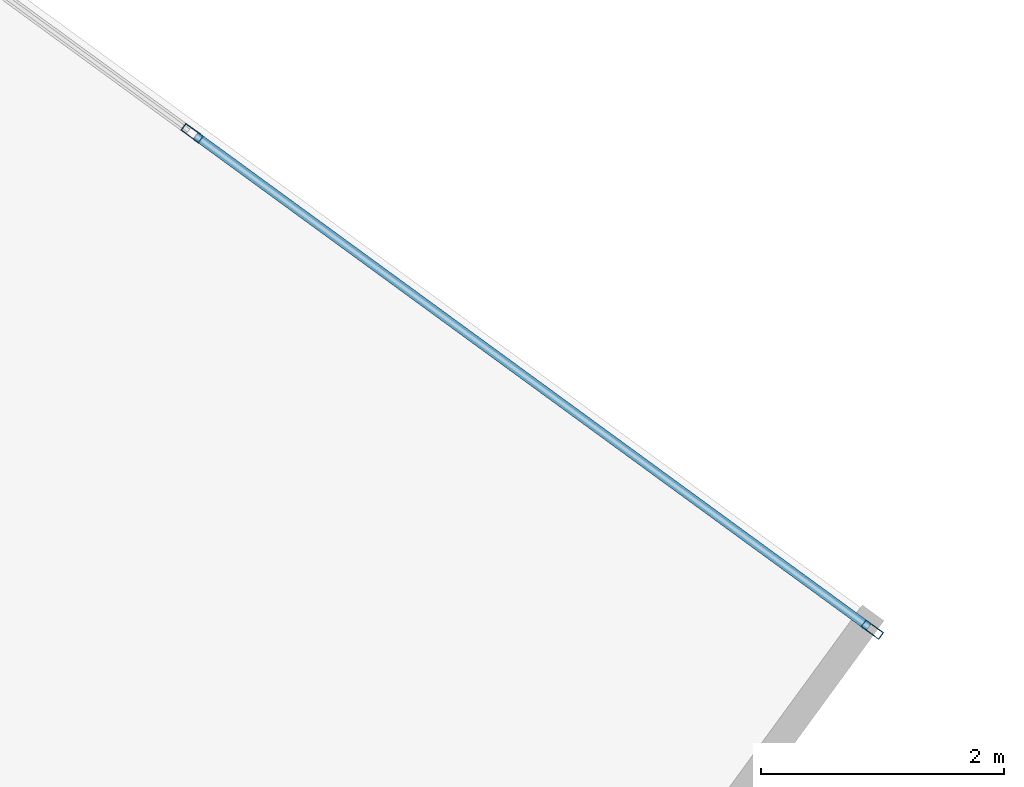
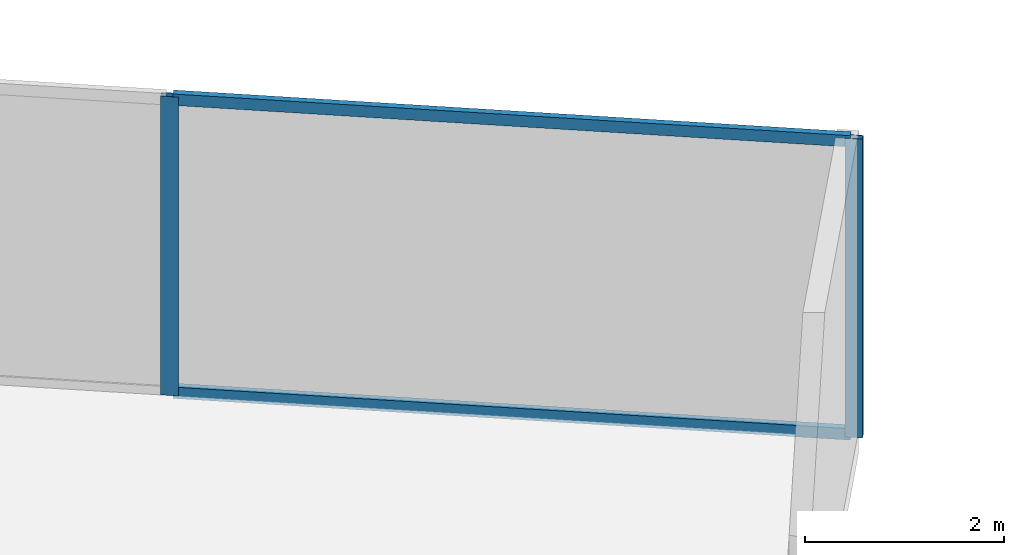
# One storey, part 18 of 25: 4 members, 1 element without a shape of its own.
"""IFC4 building model written with IfcOpenShell, lengths in metres."""

from ifc_helpers import new_model, si_unit, direction, frame, origin, origin_2d, place, context, subcontext, project, spatial, hollow_rectangle, extrude, source, transform, mapped, material, material_profile, profile_set, type_object, type_shapes, element, aggregate, save


model = new_model("IFC4")

# Units and contexts
model_context = context("Model", 3, precision=1e-05, world=origin(), true_north=direction((0.0, 1.0)))
body_context = subcontext(model_context, "Body", "Model", "MODEL_VIEW")
ifc_project = project(units=[si_unit("LENGTHUNIT", "METRE"), si_unit("AREAUNIT", "SQUARE_METRE"), si_unit("VOLUMEUNIT", "CUBIC_METRE"), si_unit("PLANEANGLEUNIT", "RADIAN"), si_unit("MASSUNIT", "GRAM", prefix="KILO")], contexts=[model_context])

# Site, building, storey
site_placement = place(None, origin())
site = spatial("IfcSite", under=ifc_project, at=site_placement, CompositionType="ELEMENT")
building_placement = place(site_placement, origin())
building = spatial("IfcBuilding", under=site, at=building_placement, Name="Krantzveldt Concourse Tower", CompositionType="ELEMENT")
storey_placement = place(building_placement, frame((0.0, 0.0, 193.60009765625)))
storey = spatial("IfcBuildingStorey", under=building, at=storey_placement, Name="L47", CompositionType="ELEMENT", Elevation=193.60009765625)

# Curtain wall, members
ifc_material = material(Name="Anodised aluminium 6063-T6", Category="aluminium")
curtain_wall_type = type_object("IfcCurtainWallType", Name="CW3", PredefinedType="USERDEFINED", material=ifc_material)
curtain_wall_placement = place(storey_placement, origin())
curtain_wall = element("IfcCurtainWall", 1, at=curtain_wall_placement, inside=storey, type_object=curtain_wall_type, Name="CW-L47-F10", ObjectType="UNITISED CURTAIN WALL", PredefinedType="USERDEFINED")
ifc_material_profile_1 = material_profile(ifc_material, hollow_rectangle(XDim=0.070068359375, YDim=0.179931640625, WallThickness=0.0048828125, at=origin_2d()), Name="Anodised aluminium 6063-T6", Category="aluminium")
ifc_profile_set_1 = profile_set([ifc_material_profile_1], Name="Anodised aluminium 6063-T6 - ALU-MULL 180x70x5")
member_type_1 = type_object("IfcMemberType", Name="CW-MUL-180", PredefinedType="MULLION", material=ifc_profile_set_1)
shared_shape_1 = source(origin(), body_context, "Body", "SweptSolid", [
    extrude(hollow_rectangle(XDim=0.070068359375, YDim=0.179931640625, WallThickness=0.0048828125, at=origin_2d()), origin(), (0.0, 0.0, 1.0), 3.669921875),
])
type_shapes(member_type_1, [shared_shape_1])
member_1_placement = place(storey_placement, frame((62.88427734375, 34.0791015625, 0.0), z_axis=(0.0, 0.0, 1.0), x_axis=(-0.589548833895, -0.807732735781, 0.0)))
member_1 = element("IfcMember", 2, at=member_1_placement, type_object=member_type_1, Name="CW-Z34 mullion 1", PredefinedType="MULLION", context=body_context, shape_type="MappedRepresentation", body=[
    mapped(shared_shape_1, transform((0.0, 0.0, 0.0), x_axis=(1.0, 0.0, 0.0), y_axis=(0.0, 1.0, 0.0), z_axis=(0.0, 0.0, 1.0), scale=1.0)),
])
member_2_placement = place(storey_placement, frame((57.290771484375, 38.161865234375, 0.0), z_axis=(0.0, 0.0, 1.0), x_axis=(-0.589548833895, -0.807732735781, 0.0)))
member_2 = element("IfcMember", 3, at=member_2_placement, type_object=member_type_1, Name="CW-Z34 mullion 2", PredefinedType="MULLION", context=body_context, shape_type="MappedRepresentation", body=[
    mapped(shared_shape_1, transform((0.0, 0.0, 0.0), x_axis=(1.0, 0.0, 0.0), y_axis=(0.0, 1.0, 0.0), z_axis=(0.0, 0.0, 1.0), scale=1.0)),
])
ifc_material_profile_2 = material_profile(ifc_material, hollow_rectangle(XDim=0.070068359375, YDim=0.139892578125, WallThickness=0.0048828125, at=origin_2d()), Name="Anodised aluminium 6063-T6", Category="aluminium")
ifc_profile_set_2 = profile_set([ifc_material_profile_2], Name="Anodised aluminium 6063-T6 - ALU-TRAN 140x70x5")
member_type_2 = type_object("IfcMemberType", Name="CW-TRN-150", PredefinedType="USERDEFINED", material=ifc_profile_set_2)
shared_shape_2 = source(origin(), body_context, "Body", "SweptSolid", [
    extrude(hollow_rectangle(XDim=0.070068359375, YDim=0.139892578125, WallThickness=0.0048828125, at=origin_2d()), origin(), (0.0, 0.0, 1.0), 6.854736328125),
])
type_shapes(member_type_2, [shared_shape_2])
member_3_placement = place(storey_placement, frame((62.85595703125, 34.099853515625, 0.034912109375), z_axis=(-0.807732274439, 0.589549465973, 0.0), x_axis=(-0.589549465973, -0.807732274439, 0.0)))
member_3 = element("IfcMember", 4, at=member_3_placement, type_object=member_type_2, Name="CW-Z34 transom 1.1", ObjectType="TRANSOM", PredefinedType="USERDEFINED", context=body_context, shape_type="MappedRepresentation", body=[
    mapped(shared_shape_2, transform((0.0, 0.0, 0.0), x_axis=(1.0, 0.0, 0.0), y_axis=(0.0, 1.0, 0.0), z_axis=(0.0, 0.0, 1.0), scale=1.0)),
])
member_4_placement = place(storey_placement, frame((62.85595703125, 34.099853515625, 3.635009765625), z_axis=(-0.807732274439, 0.589549465973, 0.0), x_axis=(-0.589549465973, -0.807732274439, 0.0)))
member_4 = element("IfcMember", 5, at=member_4_placement, type_object=member_type_2, Name="CW-Z34 transom 1.2", ObjectType="TRANSOM", PredefinedType="USERDEFINED", context=body_context, shape_type="MappedRepresentation", body=[
    mapped(shared_shape_2, transform((0.0, 0.0, 0.0), x_axis=(1.0, 0.0, 0.0), y_axis=(0.0, 1.0, 0.0), z_axis=(0.0, 0.0, 1.0), scale=1.0)),
])
aggregate(curtain_wall, [member_1, member_2, member_3, member_4])

save(model, "model.ifc")
